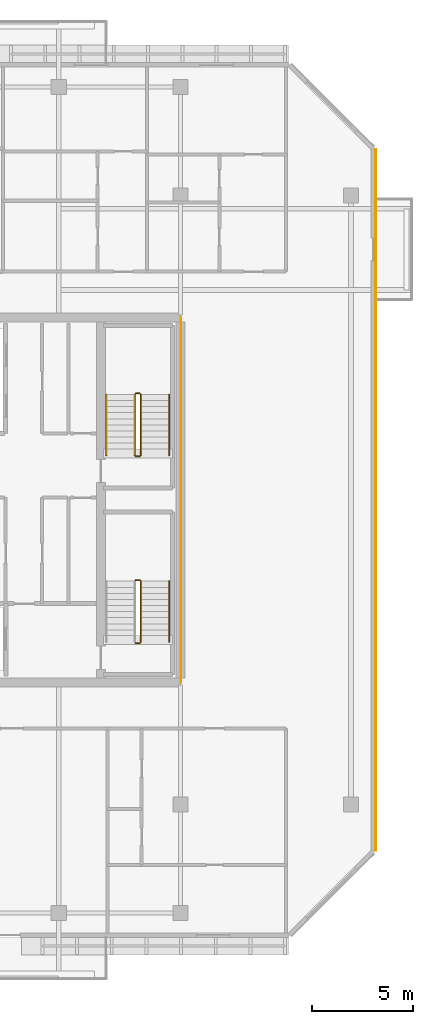
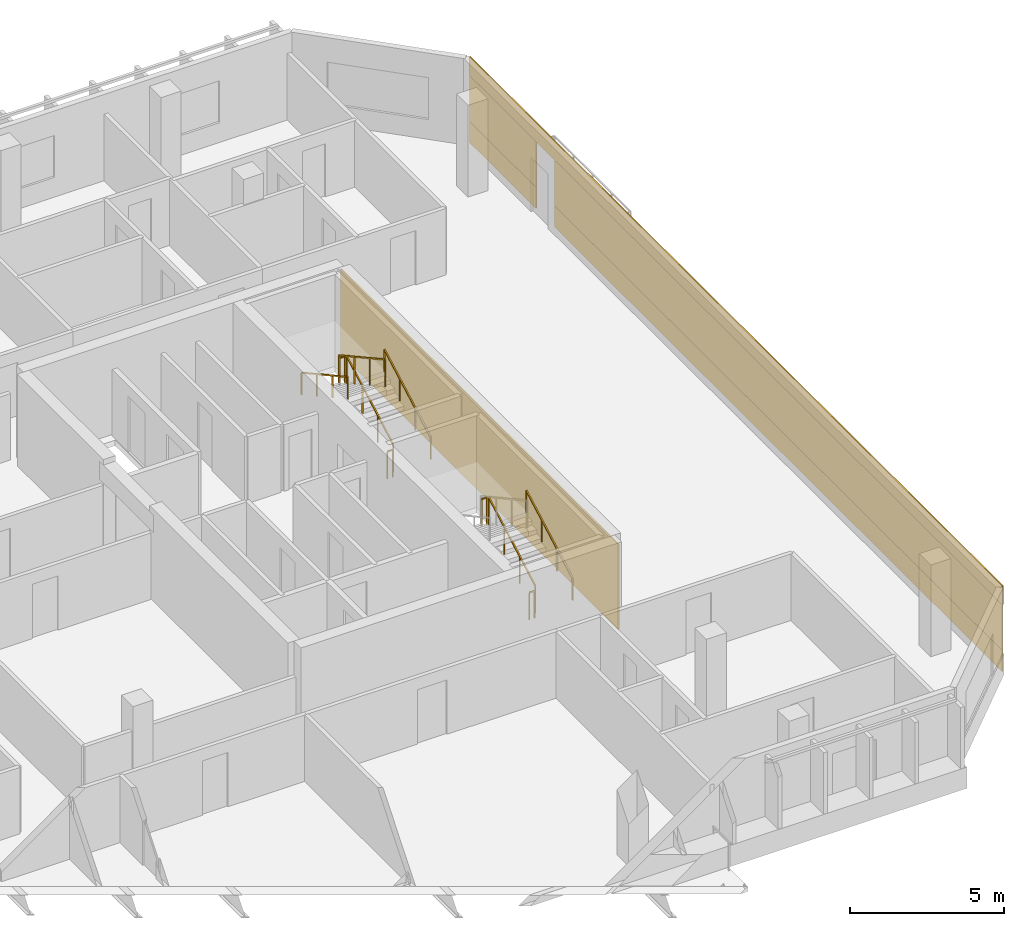
# One storey, part 22 of 23: 10 railings, 6 coverings.
"""IFC4 building model written with IfcOpenShell, lengths in metres."""

from ifc_helpers import new_model, si_unit, direction, frame, origin, origin_2d, place, context, subcontext, project, spatial, rectangle, extrude, material, layer, layer_set, type_object, element, save


model = new_model("IFC4")

# Units and contexts
model_context = context("Model", 3, precision=1e-05, world=origin(), true_north=direction((0.0, 1.0)))
body_context = subcontext(model_context, "Body", "Model", "MODEL_VIEW")
ifc_project = project(units=[si_unit("LENGTHUNIT", "METRE"), si_unit("AREAUNIT", "SQUARE_METRE"), si_unit("VOLUMEUNIT", "CUBIC_METRE"), si_unit("PLANEANGLEUNIT", "RADIAN"), si_unit("MASSUNIT", "GRAM", prefix="KILO")], contexts=[model_context])

# Site, building, storey
site_placement = place(None, origin())
site = spatial("IfcSite", under=ifc_project, at=site_placement, CompositionType="ELEMENT")
building_placement = place(site_placement, origin())
building = spatial("IfcBuilding", under=site, at=building_placement, Name="Tanjung Sevakor Pilgrim Tower", CompositionType="ELEMENT")
storey_placement = place(building_placement, frame((0.0, 0.0, 215.489990234375)))
storey = spatial("IfcBuildingStorey", under=building, at=storey_placement, Name="L60", CompositionType="ELEMENT", Elevation=215.489990234375)

# Coverings
ifc_material_1 = material(Name="Reconstructed Limestone Cladding", Category="masonry")
ifc_layer = layer(ifc_material_1, 0.044921875)
ifc_layer_set = layer_set([ifc_layer], Name="COV-CLAD-LIMESTONE")
covering_type = type_object("IfcCoveringType", Name="COV-CLAD-LIMESTONE", PredefinedType="CLADDING", material=ifc_layer_set)
covering_1_placement = place(storey_placement, frame((99.62255859375, 30.837890625, 0.009765625), z_axis=(0.0, 0.0, 1.0), x_axis=(0.0, 1.0, 0.0)))
element("IfcCovering", 1, at=covering_1_placement, inside=storey, type_object=covering_type, Name="L60 Warm Limestone Sill Spandrel EW-L60-MAIN-7-1", PredefinedType="CLADDING", context=body_context, shape_type="SweptSolid", body=[
    extrude(rectangle(XDim=29.00439453125, YDim=0.044921875, at=origin_2d()), origin(), (0.0, 0.0, 1.0), 0.840087890625),
])
covering_2_placement = place(storey_placement, frame((99.62255859375, 48.712158203125, 0.009765625), z_axis=(0.0, 0.0, 1.0), x_axis=(0.0, 1.0, 0.0)))
element("IfcCovering", 2, at=covering_2_placement, inside=storey, type_object=covering_type, Name="L60 Warm Limestone Sill Spandrel EW-L60-MAIN-7-2", PredefinedType="CLADDING", context=body_context, shape_type="SweptSolid", body=[
    extrude(rectangle(XDim=4.304443359375, YDim=0.044921875, at=origin_2d()), origin(), (0.0, 0.0, 1.0), 0.840087890625),
])
covering_3_placement = place(storey_placement, frame((99.62255859375, 33.60009765625, 2.66015625), z_axis=(0.0, 0.0, 1.0), x_axis=(0.0, 1.0, 0.0)))
element("IfcCovering", 3, at=covering_3_placement, inside=storey, type_object=covering_type, Name="L60 Warm Limestone Cornice Spandrel EW-L60-MAIN-7", PredefinedType="CLADDING", context=body_context, shape_type="SweptSolid", body=[
    extrude(rectangle(XDim=34.56884765625, YDim=0.044921875, at=origin_2d()), origin(), (0.0, 0.0, 1.0), 0.739990234375),
])
covering_4_placement = place(storey_placement, frame((99.62255859375, 30.8427734375, 0.85009765625), z_axis=(0.0, 0.0, 1.0), x_axis=(0.0, 1.0, 0.0)))
element("IfcCovering", 4, at=covering_4_placement, inside=storey, type_object=covering_type, Name="L60 Warm Limestone Pier Panel EW-L60-MAIN-7-1", PredefinedType="CLADDING", context=body_context, shape_type="SweptSolid", body=[
    extrude(rectangle(XDim=29.014404296875, YDim=0.044921875, at=origin_2d()), origin(), (0.0, 0.0, 1.0), 1.81005859375),
])
covering_5_placement = place(storey_placement, frame((99.62255859375, 48.707275390625, 0.85009765625), z_axis=(0.0, 0.0, 1.0), x_axis=(0.0, 1.0, 0.0)))
element("IfcCovering", 5, at=covering_5_placement, inside=storey, type_object=covering_type, Name="L60 Warm Limestone Pier Panel EW-L60-MAIN-7-2", PredefinedType="CLADDING", context=body_context, shape_type="SweptSolid", body=[
    extrude(rectangle(XDim=4.314453125, YDim=0.044921875, at=origin_2d()), origin(), (0.0, 0.0, 1.0), 1.81005859375),
])
covering_6_placement = place(storey_placement, frame((90.0224609375, 33.60009765625, 0.02001953125), z_axis=(0.0, 0.0, 1.0), x_axis=(1.0, 0.0, 0.0)))
element("IfcCovering", 6, at=covering_6_placement, inside=storey, type_object=covering_type, Name="L60 Expressed Core Warm Limestone Cladding E", PredefinedType="CLADDING", context=body_context, shape_type="SweptSolid", body=[
    extrude(rectangle(XDim=0.044921875, YDim=18.0, at=origin_2d()), origin(), (0.0, 0.0, 1.0), 3.3701171875),
])

# Railings
ifc_material_2 = material(Name="Steel S355J2", Category="steel")
railing_type_1 = type_object("IfcRailingType", Name="RL-STAIR-GUARD", PredefinedType="GUARDRAIL", material=ifc_material_2)
railing_1_placement = place(storey_placement, frame((88.050048828125, 26.60009765625, 0.1650390625)))
element("IfcRailing", 7, at=railing_1_placement, inside=storey, type_object=railing_type_1, Name="L60 TS-E1 stair guard 1", PredefinedType="GUARDRAIL", context=body_context, shape_type="SweptSolid", body=[
    extrude(rectangle(XDim=0.0479, YDim=0.0479), frame((0.0, 0.0, 1.076171875), z_axis=(0.0, 0.876227952683, 0.48189685093), x_axis=(-1.0, 0.0, 0.0)), (0.0, 0.0, 1.0), 3.423828125),
    extrude(rectangle(XDim=0.042, YDim=0.042), origin(), (0.0, 0.0, 1.0), 1.052001953125),
    extrude(rectangle(XDim=0.042, YDim=0.042), frame((0.0, 1.0, 0.550048828125)), (0.0, 0.0, 1.0), 1.052001953125),
    extrude(rectangle(XDim=0.042, YDim=0.042), frame((0.0, 2.0, 1.099853515625)), (0.0, 0.0, 1.0), 1.052001953125),
    extrude(rectangle(XDim=0.042, YDim=0.042), frame((0.0, 3.0, 1.64990234375)), (0.0, 0.0, 1.0), 1.052001953125),
])
for number, where, name in (
    (8, (88.0, 29.64990234375, 1.81494140625), "L60 TS-E1 stair guard 2"),
    (9, (88.0, 26.550048828125, 0.0), "L60 TS-E1 stair guard 4"),
):
    element("IfcRailing", number, at=place(storey_placement, frame(where)), inside=storey, type_object=railing_type_1, Name=name, PredefinedType="GUARDRAIL", context=body_context, shape_type="SweptSolid", body=[
        extrude(rectangle(XDim=0.0479, YDim=0.0479), frame((0.0, 0.0, 1.076171875), z_axis=(-1.0, 0.0, 0.0), x_axis=(0.0, -1.0, 0.0)), (0.0, 0.0, 1.0), 0.199951171875),
        extrude(rectangle(XDim=0.042, YDim=0.042), origin(), (0.0, 0.0, 1.0), 1.052001953125),
        extrude(rectangle(XDim=0.042, YDim=0.042), frame((-0.199951171875, 0.0, 0.0)), (0.0, 0.0, 1.0), 1.052001953125),
    ])
railing_2_placement = place(storey_placement, frame((88.050048828125, 35.800048828125, 0.1650390625)))
element("IfcRailing", 10, at=railing_2_placement, inside=storey, type_object=railing_type_1, Name="L60 TS-E2 stair guard 1", PredefinedType="GUARDRAIL", context=body_context, shape_type="SweptSolid", body=[
    extrude(rectangle(XDim=0.0479, YDim=0.0479), frame((0.0, 0.0, 1.076171875), z_axis=(0.0, 0.876227952683, 0.48189685093), x_axis=(-1.0, 0.0, 0.0)), (0.0, 0.0, 1.0), 3.423828125),
    extrude(rectangle(XDim=0.042, YDim=0.042), origin(), (0.0, 0.0, 1.0), 1.052001953125),
    extrude(rectangle(XDim=0.042, YDim=0.042), frame((0.0, 1.0, 0.550048828125)), (0.0, 0.0, 1.0), 1.052001953125),
    extrude(rectangle(XDim=0.042, YDim=0.042), frame((0.0, 2.0, 1.099853515625)), (0.0, 0.0, 1.0), 1.052001953125),
    extrude(rectangle(XDim=0.042, YDim=0.042), frame((0.0, 3.0, 1.64990234375)), (0.0, 0.0, 1.0), 1.052001953125),
])
railing_3_placement = place(storey_placement, frame((88.0, 38.85009765625, 1.81494140625)))
element("IfcRailing", 11, at=railing_3_placement, inside=storey, type_object=railing_type_1, Name="L60 TS-E2 stair guard 2", PredefinedType="GUARDRAIL", context=body_context, shape_type="SweptSolid", body=[
    extrude(rectangle(XDim=0.0479, YDim=0.0479), frame((0.0, 0.0, 1.076171875), z_axis=(-1.0, 0.0, 0.0), x_axis=(0.0, -1.0, 0.0)), (0.0, 0.0, 1.0), 0.199951171875),
    extrude(rectangle(XDim=0.042, YDim=0.042), origin(), (0.0, 0.0, 1.0), 1.052001953125),
    extrude(rectangle(XDim=0.042, YDim=0.042), frame((-0.199951171875, 0.0, 0.0)), (0.0, 0.0, 1.0), 1.052001953125),
])
railing_4_placement = place(storey_placement, frame((87.75, 38.800048828125, 1.97998046875)))
element("IfcRailing", 12, at=railing_4_placement, inside=storey, type_object=railing_type_1, Name="L60 TS-E2 stair guard 3", PredefinedType="GUARDRAIL", context=body_context, shape_type="SweptSolid", body=[
    extrude(rectangle(XDim=0.0479, YDim=0.0479), frame((0.0, 0.0, 1.076171875), z_axis=(0.0, -0.876197842262, 0.481951596342), x_axis=(1.0, 0.0, 0.0)), (0.0, 0.0, 1.0), 3.423828125),
    extrude(rectangle(XDim=0.042, YDim=0.042), origin(), (0.0, 0.0, 1.0), 1.052001953125),
    extrude(rectangle(XDim=0.042, YDim=0.042), frame((0.0, -1.0, 0.550048828125)), (0.0, 0.0, 1.0), 1.052001953125),
    extrude(rectangle(XDim=0.042, YDim=0.042), frame((0.0, -2.0, 1.10009765625)), (0.0, 0.0, 1.0), 1.052001953125),
    extrude(rectangle(XDim=0.042, YDim=0.042), frame((0.0, -3.0, 1.650146484375)), (0.0, 0.0, 1.0), 1.052001953125),
])
railing_5_placement = place(storey_placement, frame((88.0, 35.75, 0.0)))
element("IfcRailing", 13, at=railing_5_placement, inside=storey, type_object=railing_type_1, Name="L60 TS-E2 stair guard 4", PredefinedType="GUARDRAIL", context=body_context, shape_type="SweptSolid", body=[
    extrude(rectangle(XDim=0.0479, YDim=0.0479), frame((0.0, 0.0, 1.076171875), z_axis=(-1.0, 0.0, 0.0), x_axis=(0.0, -1.0, 0.0)), (0.0, 0.0, 1.0), 0.199951171875),
    extrude(rectangle(XDim=0.042, YDim=0.042), origin(), (0.0, 0.0, 1.0), 1.052001953125),
    extrude(rectangle(XDim=0.042, YDim=0.042), frame((-0.199951171875, 0.0, 0.0)), (0.0, 0.0, 1.0), 1.052001953125),
])
ifc_material_3 = material(Name="Steel S355J2", Category="steel")
railing_type_2 = type_object("IfcRailingType", Name="RL-STAIR-HAND", PredefinedType="HANDRAIL", material=ifc_material_3)
for number, where, name in (
    (14, (89.449951171875, 26.60009765625, 0.1650390625), "L60 TS-E1 stair handrail 1"),
    (15, (89.449951171875, 35.800048828125, 0.1650390625), "L60 TS-E2 stair handrail 1"),
):
    element("IfcRailing", number, at=place(storey_placement, frame(where)), inside=storey, type_object=railing_type_2, Name=name, PredefinedType="HANDRAIL", context=body_context, shape_type="SweptSolid", body=[
        extrude(rectangle(XDim=0.0479, YDim=0.0479), frame((0.0, 0.0, 0.8759765625), z_axis=(0.0, 0.876227952683, 0.48189685093), x_axis=(-1.0, 0.0, 0.0)), (0.0, 0.0, 1.0), 3.423828125),
        extrude(rectangle(XDim=0.042, YDim=0.042), origin(), (0.0, 0.0, 1.0), 0.851806640625),
        extrude(rectangle(XDim=0.042, YDim=0.042), frame((0.0, 1.0, 0.550048828125)), (0.0, 0.0, 1.0), 0.851806640625),
        extrude(rectangle(XDim=0.042, YDim=0.042), frame((0.0, 2.0, 1.099853515625)), (0.0, 0.0, 1.0), 0.851806640625),
        extrude(rectangle(XDim=0.042, YDim=0.042), frame((0.0, 3.0, 1.64990234375)), (0.0, 0.0, 1.0), 0.851806640625),
    ])
railing_6_placement = place(storey_placement, frame((86.35009765625, 38.800048828125, 1.97998046875)))
element("IfcRailing", 16, at=railing_6_placement, inside=storey, type_object=railing_type_2, Name="L60 TS-E2 stair handrail 2", PredefinedType="HANDRAIL", context=body_context, shape_type="SweptSolid", body=[
    extrude(rectangle(XDim=0.0479, YDim=0.0479), frame((0.0, 0.0, 0.8759765625), z_axis=(0.0, -0.876197842262, 0.481951596342), x_axis=(1.0, 0.0, 0.0)), (0.0, 0.0, 1.0), 3.423828125),
    extrude(rectangle(XDim=0.042, YDim=0.042), origin(), (0.0, 0.0, 1.0), 0.851806640625),
    extrude(rectangle(XDim=0.042, YDim=0.042), frame((0.0, -1.0, 0.550048828125)), (0.0, 0.0, 1.0), 0.851806640625),
    extrude(rectangle(XDim=0.042, YDim=0.042), frame((0.0, -2.0, 1.10009765625)), (0.0, 0.0, 1.0), 0.851806640625),
    extrude(rectangle(XDim=0.042, YDim=0.042), frame((0.0, -3.0, 1.650146484375)), (0.0, 0.0, 1.0), 0.851806640625),
])

save(model, "model.ifc")
